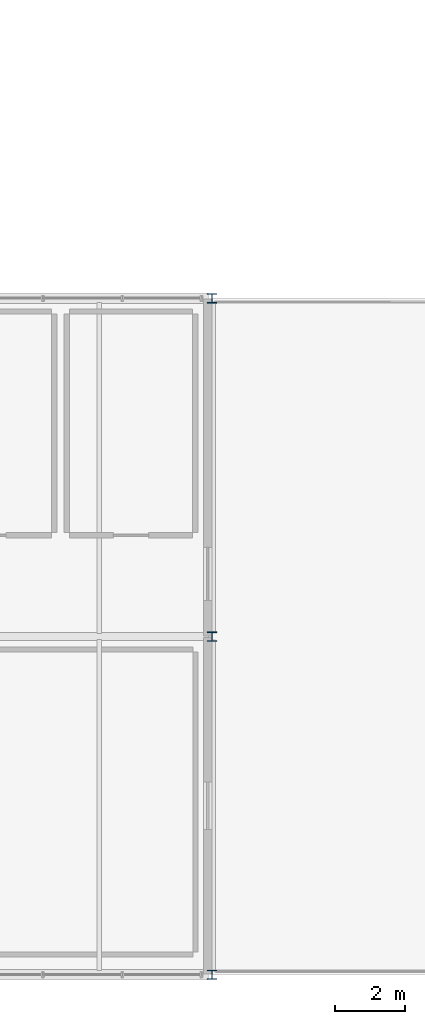
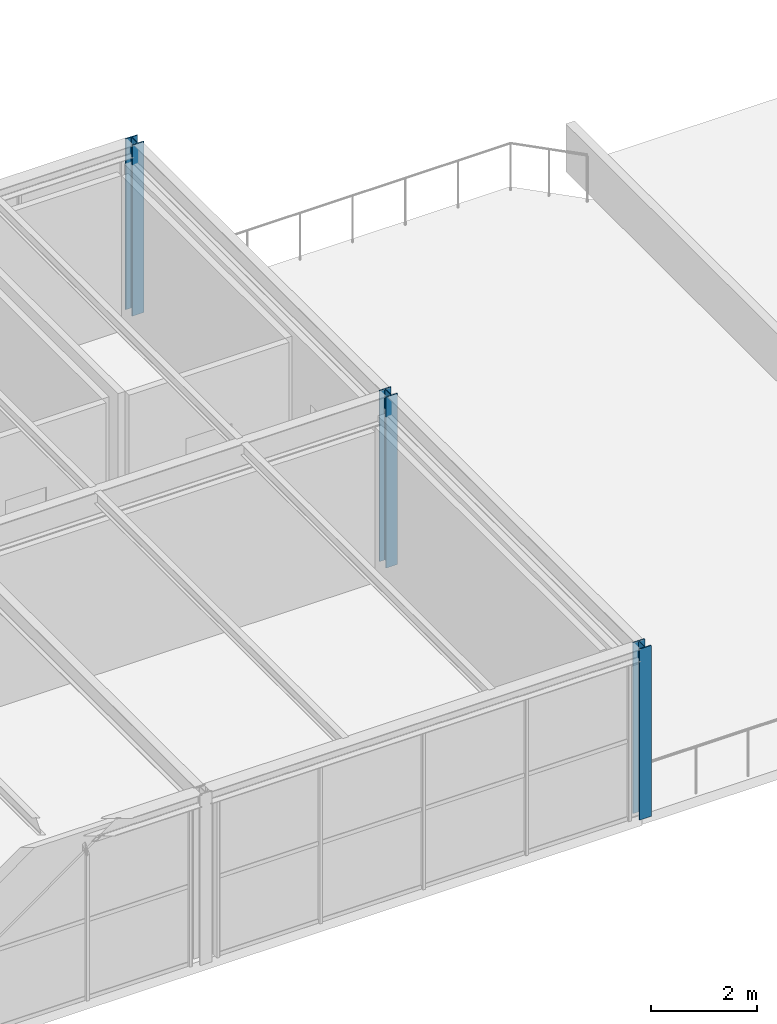
# One storey, part 4 of 39: 3 columns.
"""IFC4 building model written with IfcOpenShell, lengths in metres."""

from ifc_helpers import new_model, si_unit, direction, frame, origin, origin_2d, place, context, subcontext, project, spatial, i_section, extrude, material, material_profile, profile_set, type_object, element, save


model = new_model("IFC4")

# Units and contexts
model_context = context("Model", 3, precision=1e-05, world=origin(), true_north=direction((0.0, 1.0)))
body_context = subcontext(model_context, "Body", "Model", "MODEL_VIEW")
ifc_project = project(units=[si_unit("LENGTHUNIT", "METRE"), si_unit("AREAUNIT", "SQUARE_METRE"), si_unit("VOLUMEUNIT", "CUBIC_METRE"), si_unit("PLANEANGLEUNIT", "RADIAN"), si_unit("MASSUNIT", "GRAM", prefix="KILO")], contexts=[model_context])

# Site, building, storey
site_placement = place(None, origin())
site = spatial("IfcSite", under=ifc_project, at=site_placement, CompositionType="ELEMENT")
building_placement = place(site_placement, origin())
building = spatial("IfcBuilding", under=site, at=building_placement, Name="Coralgate Yard Interchange", CompositionType="ELEMENT")
storey_placement = place(building_placement, frame((0.0, 0.0, 18.89990234375)))
storey = spatial("IfcBuildingStorey", under=building, at=storey_placement, Name="L04", CompositionType="ELEMENT", Elevation=18.89990234375)

# Columns
ifc_material = material(Name="Structural steel S355J2", Category="steel")
ifc_material_profile = material_profile(ifc_material, i_section(OverallWidth=0.2587890625, OverallDepth=0.2666015625, WebThickness=0.0126953125, FlangeThickness=0.0205078125, FilletRadius=0.0126953125, at=origin_2d()), Name="UC 254x254x107")
ifc_profile_set = profile_set([ifc_material_profile], Name="Structural steel S355J2")
column_type = type_object("IfcColumnType", Name="COL-SC-7", PredefinedType="COLUMN", material=ifc_profile_set)
for number, where, z_axis, x_axis, name in (
    (1, (67.199951171875, 0.0, 0.0), (0.0, 0.0, 1.0), (1.0, 0.0, 0.0), "L04 structural column 7-0"),
    (2, (67.199951171875, 9.60009765625, 0.0), (0.0, 0.0, 1.0), (1.0, 0.0, 0.0), "L04 structural column 7-1"),
    (3, (67.199951171875, 19.199951171875, 0.0), (0.0, 0.0, 1.0), (1.0, 0.0, 0.0), "L04 structural column 7-2"),
):
    element("IfcColumn", number, at=place(storey_placement, frame(where, z_axis=z_axis, x_axis=x_axis)), inside=storey, type_object=column_type, Name=name, PredefinedType="COLUMN", context=body_context, shape_type="SweptSolid", body=[
        extrude(i_section(OverallWidth=0.2587890625, OverallDepth=0.2666015625, WebThickness=0.0126953125, FlangeThickness=0.0205078125, FilletRadius=0.0126953125, at=origin_2d()), origin(), (0.0, 0.0, 1.0), 3.9501953125),
    ])

save(model, "model.ifc")
